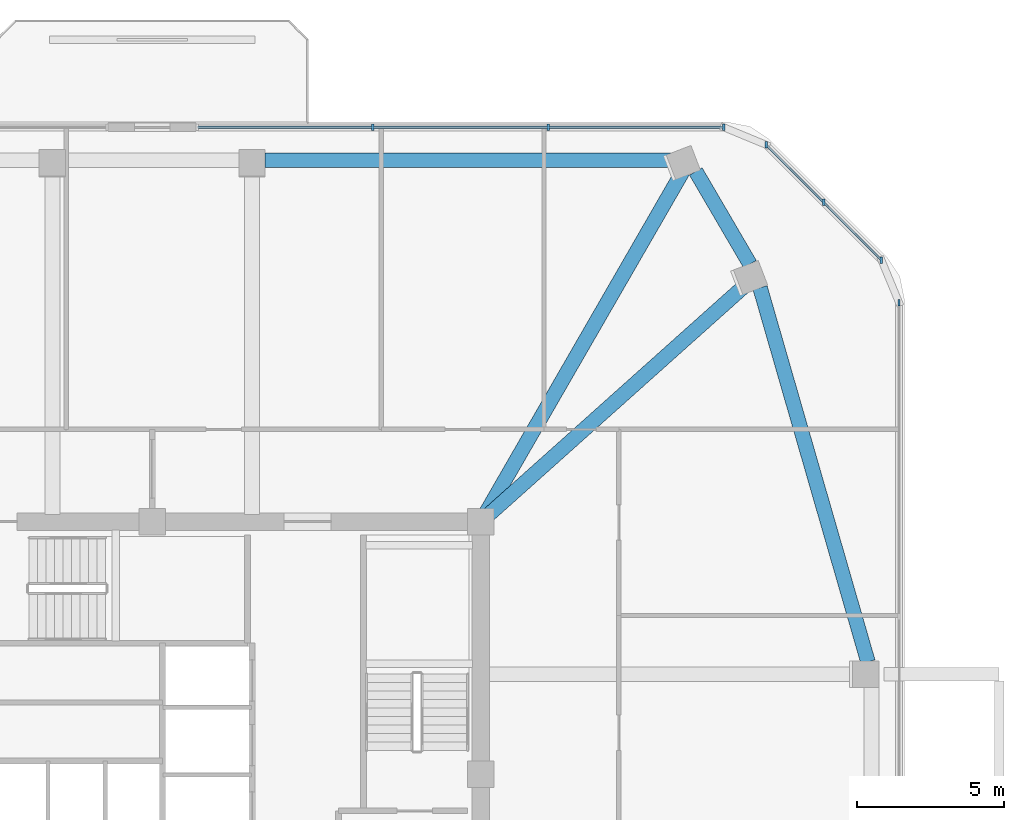
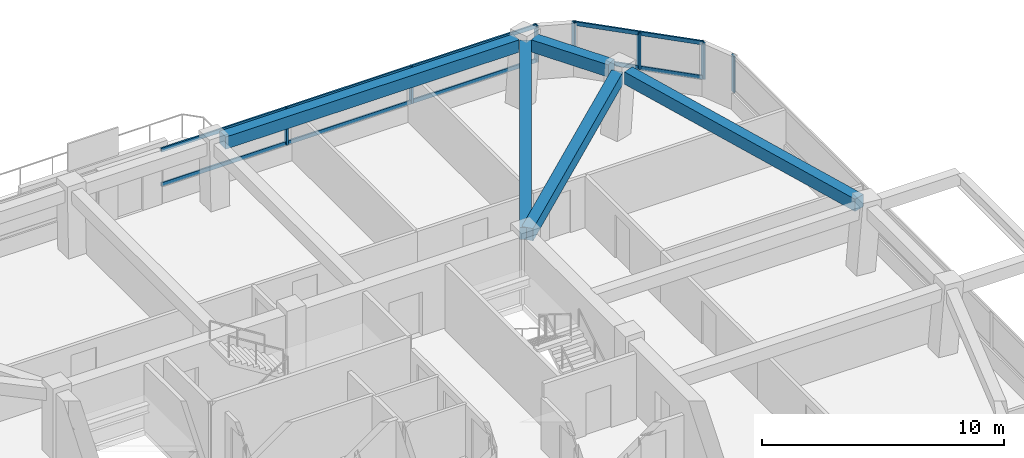
# One storey, part 6 of 12: 11 members, 5 beams, 3 elements without a shape of their own.
"""IFC4 building model written with IfcOpenShell, lengths in metres."""

from ifc_helpers import new_model, si_unit, derived_unit, direction, frame, origin, origin_2d, place, context, subcontext, project, spatial, rectangle, extrude, material, material_profile, profile_set, type_object, element, aggregate, save


model = new_model("IFC4")

# Units and contexts
model_context = context("Model", 3, precision=1e-05, world=origin(), true_north=direction((0.0, 1.0)))
body_context = subcontext(model_context, "Body", "Model", "MODEL_VIEW")
ifc_project = project(units=[si_unit("LENGTHUNIT", "METRE"), si_unit("AREAUNIT", "SQUARE_METRE"), si_unit("VOLUMEUNIT", "CUBIC_METRE"), si_unit("PLANEANGLEUNIT", "RADIAN"), si_unit("MASSUNIT", "GRAM", prefix="KILO"), derived_unit("THERMALTRANSMITTANCEUNIT", [(si_unit("POWERUNIT", "WATT"), 1), (si_unit("LENGTHUNIT", "METRE"), -2), (si_unit("THERMODYNAMICTEMPERATUREUNIT", "KELVIN"), -1)])], contexts=[model_context])

# Site, building, storey
site_placement = place(None, origin())
site = spatial("IfcSite", under=ifc_project, at=site_placement, CompositionType="ELEMENT")
building_placement = place(site_placement, origin())
building = spatial("IfcBuilding", under=site, at=building_placement, Name="Koralith Skygarden Medical Center", CompositionType="ELEMENT")
storey_placement = place(building_placement, frame((0.0, 0.0, 203.580078125)))
storey = spatial("IfcBuildingStorey", under=building, at=storey_placement, Name="L52", CompositionType="ELEMENT", Elevation=203.580078125)

# Curtain wall, member
ifc_material_1 = material(Name="Clear Laminated Glass", Category="glass")
curtain_wall_type = type_object("IfcCurtainWallType", Name="CW-5 Zone 4 Flare Biophilic Curtain Wall", PredefinedType="NOTDEFINED", material=ifc_material_1)
curtain_wall_1_placement = place(storey_placement, origin())
curtain_wall_1 = element("IfcCurtainWall", 1, at=curtain_wall_1_placement, inside=storey, type_object=curtain_wall_type, Name="Curtain Wall CW-L52-E", PredefinedType="NOTDEFINED")
ifc_material_2 = material(Name="Aluminium 6063-T6", Category="aluminium")
ifc_material_profile_1 = material_profile(ifc_material_2, rectangle(XDim=0.080078125, YDim=0.219970703125, at=origin_2d()), Name="MUL80X220")
ifc_profile_set_1 = profile_set([ifc_material_profile_1], Name="Aluminium 6063-T6")
member_type_1 = type_object("IfcMemberType", Name="CW-5 Extruded Mullion 80x220", PredefinedType="MULLION", material=ifc_profile_set_1)
member_1_placement = place(storey_placement, frame((62.450927734375, 41.966064453125, 0.849853515625), z_axis=(0.0, 0.0, 1.0), x_axis=(1.0, 0.0, 0.0)))
member_1 = element("IfcMember", 2, at=member_1_placement, type_object=member_type_1, Name="CW-L52-E Mullion 4", PredefinedType="MULLION", context=body_context, shape_type="SweptSolid", body=[
    extrude(rectangle(XDim=0.080078125, YDim=0.219970703125, at=origin_2d()), origin(), (0.0, 0.0, 1.0), 1.840087890625),
])
aggregate(curtain_wall_1, [member_1])

# Curtain wall, members
curtain_wall_2_placement = place(storey_placement, origin())
curtain_wall_2 = element("IfcCurtainWall", 3, at=curtain_wall_2_placement, inside=storey, type_object=curtain_wall_type, Name="Curtain Wall CW-L52-NE", PredefinedType="NOTDEFINED")
member_2_placement = place(storey_placement, frame((61.84912109375, 43.4169921875, 0.849853515625), z_axis=(0.0, 0.0, 1.0), x_axis=(1.0, 0.0, 0.0)))
member_2 = element("IfcMember", 4, at=member_2_placement, type_object=member_type_1, Name="CW-L52-NE Mullion 1", PredefinedType="MULLION", context=body_context, shape_type="SweptSolid", body=[
    extrude(rectangle(XDim=0.080078125, YDim=0.219970703125, at=origin_2d()), origin(), (0.0, 0.0, 1.0), 1.840087890625),
])
member_3_placement = place(storey_placement, frame((59.887939453125, 45.37890625, 0.849853515625), z_axis=(0.0, 0.0, 1.0), x_axis=(1.0, 0.0, 0.0)))
member_3 = element("IfcMember", 5, at=member_3_placement, type_object=member_type_1, Name="CW-L52-NE Mullion 2", PredefinedType="MULLION", context=body_context, shape_type="SweptSolid", body=[
    extrude(rectangle(XDim=0.080078125, YDim=0.219970703125, at=origin_2d()), origin(), (0.0, 0.0, 1.0), 1.840087890625),
])
member_4_placement = place(storey_placement, frame((57.926025390625, 47.340087890625, 0.849853515625), z_axis=(0.0, 0.0, 1.0), x_axis=(1.0, 0.0, 0.0)))
member_4 = element("IfcMember", 6, at=member_4_placement, type_object=member_type_1, Name="CW-L52-NE Mullion 3", PredefinedType="MULLION", context=body_context, shape_type="SweptSolid", body=[
    extrude(rectangle(XDim=0.080078125, YDim=0.219970703125, at=origin_2d()), origin(), (0.0, 0.0, 1.0), 1.840087890625),
])

curtain_wall_3_placement = place(storey_placement, origin())
curtain_wall_3 = element("IfcCurtainWall", 7, at=curtain_wall_3_placement, inside=storey, type_object=curtain_wall_type, Name="Curtain Wall CW-L52-N-L", PredefinedType="NOTDEFINED")
member_5_placement = place(storey_placement, frame((56.47509765625, 47.94091796875, 0.849853515625), z_axis=(0.0, 0.0, 1.0), x_axis=(1.0, 0.0, 0.0)))
member_5 = element("IfcMember", 8, at=member_5_placement, type_object=member_type_1, Name="CW-L52-N-L Mullion 1", PredefinedType="MULLION", context=body_context, shape_type="SweptSolid", body=[
    extrude(rectangle(XDim=0.080078125, YDim=0.219970703125, at=origin_2d()), origin(), (0.0, 0.0, 1.0), 1.840087890625),
])
member_6_placement = place(storey_placement, frame((50.4970703125, 47.94091796875, 0.849853515625), z_axis=(0.0, 0.0, 1.0), x_axis=(1.0, 0.0, 0.0)))
member_6 = element("IfcMember", 9, at=member_6_placement, type_object=member_type_1, Name="CW-L52-N-L Mullion 2", PredefinedType="MULLION", context=body_context, shape_type="SweptSolid", body=[
    extrude(rectangle(XDim=0.080078125, YDim=0.219970703125, at=origin_2d()), origin(), (0.0, 0.0, 1.0), 1.840087890625),
])
member_7_placement = place(storey_placement, frame((44.51806640625, 47.94091796875, 0.849853515625), z_axis=(0.0, 0.0, 1.0), x_axis=(1.0, 0.0, 0.0)))
member_7 = element("IfcMember", 10, at=member_7_placement, type_object=member_type_1, Name="CW-L52-N-L Mullion 3", PredefinedType="MULLION", context=body_context, shape_type="SweptSolid", body=[
    extrude(rectangle(XDim=0.080078125, YDim=0.219970703125, at=origin_2d()), origin(), (0.0, 0.0, 1.0), 1.840087890625),
])

# Member
ifc_material_profile_2 = material_profile(ifc_material_2, rectangle(XDim=0.074951171875, YDim=0.197998046875, at=origin_2d()), Name="TRN75X198")
ifc_profile_set_2 = profile_set([ifc_material_profile_2], Name="Aluminium 6063-T6")
member_type_2 = type_object("IfcMemberType", Name="CW-5 Thermal Transom 75x198", PredefinedType="USERDEFINED", material=ifc_profile_set_2)
member_8_placement = place(storey_placement, frame((61.84912109375, 43.4169921875, 0.89990234375), z_axis=(-0.707106781187, 0.707106781187, 0.0), x_axis=(-0.707106781187, -0.707106781187, 0.0)))
member_8 = element("IfcMember", 11, at=member_8_placement, type_object=member_type_2, Name="CW-L52-NE Transom 1", ObjectType="TRANSOM", PredefinedType="USERDEFINED", context=body_context, shape_type="SweptSolid", body=[
    extrude(rectangle(XDim=0.074951171875, YDim=0.197998046875, at=origin_2d()), origin(), (0.0, 0.0, 1.0), 5.548095703125),
])

member_9_placement = place(storey_placement, frame((61.84912109375, 43.4169921875, 2.639892578125), z_axis=(-0.707106781187, 0.707106781187, 0.0), x_axis=(-0.707106781187, -0.707106781187, 0.0)))
member_9 = element("IfcMember", 12, at=member_9_placement, type_object=member_type_2, Name="CW-L52-NE Transom 2", ObjectType="TRANSOM", PredefinedType="USERDEFINED", context=body_context, shape_type="SweptSolid", body=[
    extrude(rectangle(XDim=0.074951171875, YDim=0.197998046875, at=origin_2d()), origin(), (0.0, 0.0, 1.0), 5.548095703125),
])

aggregate(curtain_wall_2, [member_2, member_3, member_4, member_8, member_9])

member_10_placement = place(storey_placement, frame((56.47509765625, 47.94091796875, 0.89990234375), z_axis=(-1.0, 0.0, 0.0), x_axis=(0.0, -1.0, 0.0)))
member_10 = element("IfcMember", 13, at=member_10_placement, type_object=member_type_2, Name="CW-L52-N-L Transom 1", ObjectType="TRANSOM", PredefinedType="USERDEFINED", context=body_context, shape_type="SweptSolid", body=[
    extrude(rectangle(XDim=0.074951171875, YDim=0.197998046875, at=origin_2d()), origin(), (0.0, 0.0, 1.0), 17.93505859375),
])

member_11_placement = place(storey_placement, frame((56.47509765625, 47.94091796875, 2.639892578125), z_axis=(-1.0, 0.0, 0.0), x_axis=(0.0, -1.0, 0.0)))
member_11 = element("IfcMember", 14, at=member_11_placement, type_object=member_type_2, Name="CW-L52-N-L Transom 2", ObjectType="TRANSOM", PredefinedType="USERDEFINED", context=body_context, shape_type="SweptSolid", body=[
    extrude(rectangle(XDim=0.074951171875, YDim=0.197998046875, at=origin_2d()), origin(), (0.0, 0.0, 1.0), 17.93505859375),
])

aggregate(curtain_wall_3, [member_5, member_6, member_7, member_10, member_11])

# Beams
ifc_material_3 = material(Name="Concrete C45/55", Category="concrete")
ifc_material_profile_3 = material_profile(ifc_material_3, rectangle(XDim=0.5, YDim=0.6201171875, at=origin_2d()), Name="RCB500X620")
ifc_profile_set_3 = profile_set([ifc_material_profile_3], Name="Concrete C45/55")
beam_type_1 = type_object("IfcBeamType", Name="Upper Radial Collector Beam RCB500X620", PredefinedType="BEAM", material=ifc_profile_set_3)
beam_1_placement = place(storey_placement, frame((48.385986328125, 34.6669921875, 3.010009765625), z_axis=(0.74550827496, 0.666496370557, 0.0), x_axis=(-0.666496370557, 0.74550827496, 0.0)))
element("IfcBeam", 15, at=beam_1_placement, inside=storey, type_object=beam_type_1, Name="L52 Radial Collector Beam RB-10", PredefinedType="BEAM", context=body_context, shape_type="SweptSolid", body=[
    extrude(rectangle(XDim=0.5, YDim=0.6201171875, at=origin_2d()), origin(), (0.0, 0.0, 1.0), 11.908447265625),
])
beam_2_placement = place(storey_placement, frame((48.324951171875, 34.717041015625, 3.010009765625), z_axis=(0.499453165757, 0.866340888574, 0.0), x_axis=(-0.866340888574, 0.499453165757, 0.0)))
element("IfcBeam", 16, at=beam_2_placement, inside=storey, type_object=beam_type_1, Name="L52 Radial Collector Beam RB-11", PredefinedType="BEAM", context=body_context, shape_type="SweptSolid", body=[
    extrude(rectangle(XDim=0.5, YDim=0.6201171875, at=origin_2d()), origin(), (0.0, 0.0, 1.0), 13.527099609375),
])
ifc_material_profile_4 = material_profile(ifc_material_3, rectangle(XDim=0.5, YDim=0.6201171875, at=origin_2d()), Name="RCB500X620")
ifc_profile_set_4 = profile_set([ifc_material_profile_4], Name="Concrete C45/55")
beam_type_2 = type_object("IfcBeamType", Name="Zone 4-5 Spandrel Beam RCB500X620", PredefinedType="SPANDREL", material=ifc_profile_set_4)
beam_3_placement = place(storey_placement, frame((61.39111328125, 29.722900390625, 3.010009765625), z_axis=(-0.277074752231, 0.9608483656, 0.0), x_axis=(-0.9608483656, -0.277074752231, 0.0)))
element("IfcBeam", 17, at=beam_3_placement, inside=storey, type_object=beam_type_2, Name="L52 Perimeter Spandrel Beam SP-09", PredefinedType="SPANDREL", context=body_context, shape_type="SweptSolid", body=[
    extrude(rectangle(XDim=0.5, YDim=0.6201171875, at=origin_2d()), origin(), (0.0, 0.0, 1.0), 13.270751953125),
])
beam_4_placement = place(storey_placement, frame((57.3701171875, 43.277099609375, 3.010009765625), z_axis=(-0.504662936205, 0.863316466205, 0.0), x_axis=(-0.863316466205, -0.504662936205, 0.0)))
element("IfcBeam", 18, at=beam_4_placement, inside=storey, type_object=beam_type_2, Name="L52 Perimeter Spandrel Beam SP-10", PredefinedType="SPANDREL", context=body_context, shape_type="SweptSolid", body=[
    extrude(rectangle(XDim=0.5, YDim=0.6201171875, at=origin_2d()), origin(), (0.0, 0.0, 1.0), 3.66015625),
])
beam_5_placement = place(storey_placement, frame((54.861083984375, 46.81689453125, 3.010009765625), z_axis=(-1.0, 0.0, 0.0), x_axis=(0.0, -1.0, 0.0)))
element("IfcBeam", 19, at=beam_5_placement, inside=storey, type_object=beam_type_2, Name="L52 Perimeter Spandrel Beam SP-11", PredefinedType="SPANDREL", context=body_context, shape_type="SweptSolid", body=[
    extrude(rectangle(XDim=0.5, YDim=0.6201171875, at=origin_2d()), origin(), (0.0, 0.0, 1.0), 14.02099609375),
])

save(model, "model.ifc")
